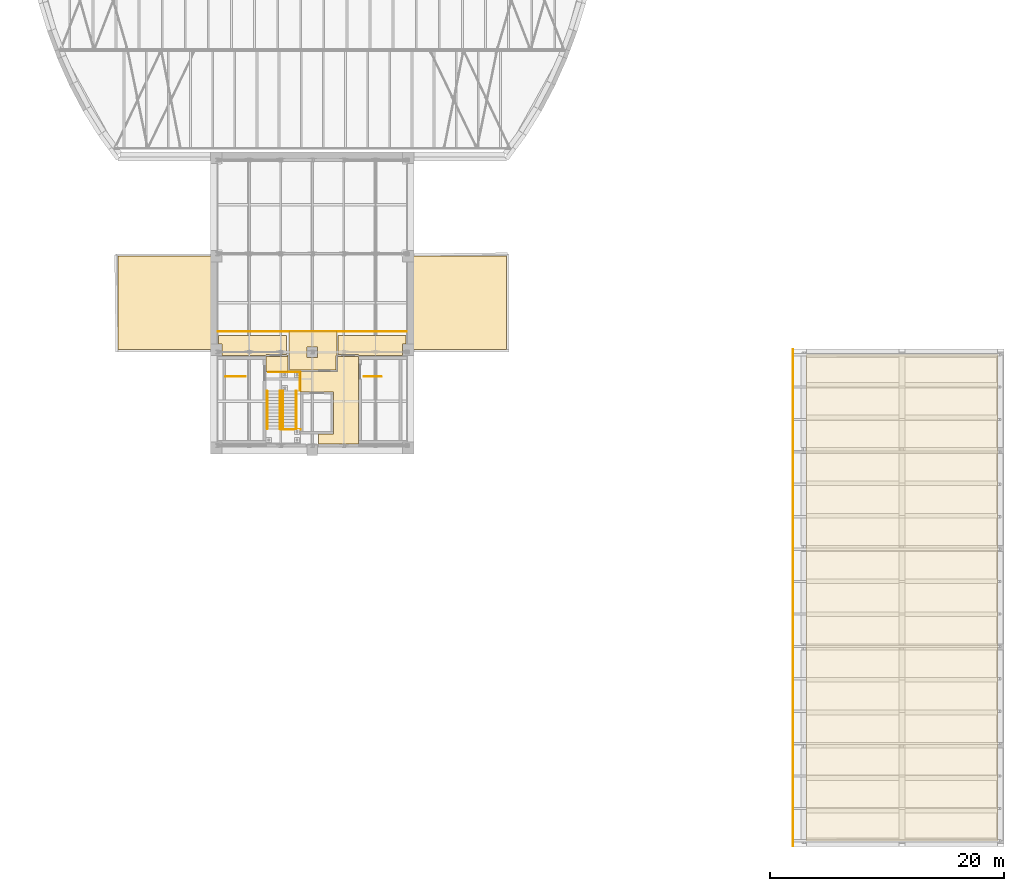
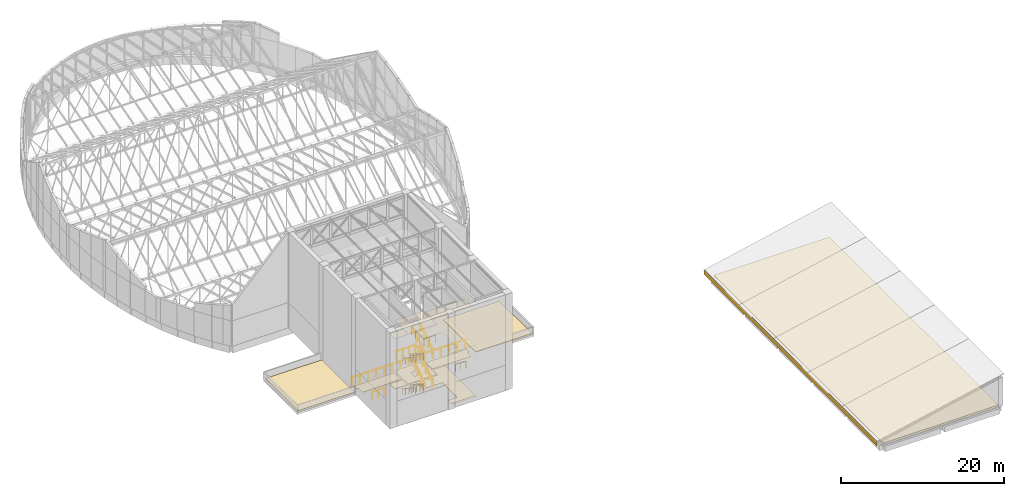
# One storey, part 68 of 68: 20 railings, 11 coverings.
"""IFC4 building model written with IfcOpenShell, lengths in metres."""

from ifc_helpers import new_model, si_unit, direction, frame, origin, origin_2d, place, context, subcontext, project, spatial, polyline, circle, outline, extrude, material, layer, layer_set, type_object, element, save


model = new_model("IFC4")

# Units and contexts
model_context = context("Model", 3, precision=1e-05, world=origin(), true_north=direction((0.0, 1.0)))
body_context = subcontext(model_context, "Body", "Model", "MODEL_VIEW")
ifc_project = project(units=[si_unit("LENGTHUNIT", "METRE"), si_unit("AREAUNIT", "SQUARE_METRE"), si_unit("VOLUMEUNIT", "CUBIC_METRE"), si_unit("PLANEANGLEUNIT", "RADIAN"), si_unit("MASSUNIT", "GRAM", prefix="KILO")], contexts=[model_context])

# Site, building, storey
site_placement = place(None, origin())
site = spatial("IfcSite", under=ifc_project, at=site_placement, CompositionType="ELEMENT")
building_placement = place(site_placement, origin())
building = spatial("IfcBuilding", under=site, at=building_placement, Name="Larchfold Concert Hall", CompositionType="ELEMENT")
storey_placement = place(building_placement, frame((0.0, 0.0, 28.800048828125)))
storey = spatial("IfcBuildingStorey", under=building, at=storey_placement, Name="L06", CompositionType="ELEMENT", Elevation=28.800048828125)

# Coverings
ifc_material_1 = material(Name="Mineral fibre ceiling tile")
ifc_layer_1 = layer(ifc_material_1, 0.02001953125)
ifc_layer_set_1 = layer_set([ifc_layer_1], Name="Mineral fibre ceiling tile")
covering_type_1 = type_object("IfcCoveringType", Name="Ceiling mineral fibre tile 20", PredefinedType="CEILING", material=ifc_layer_set_1)
covering_1_placement = place(storey_placement, frame((0.0, 0.0, 7.580078125)))
element("IfcCovering", 1, at=covering_1_placement, inside=storey, type_object=covering_type_1, Name="Ceiling Gallery Corridor 01", PredefinedType="CEILING", context=body_context, shape_type="SweptSolid", body=[
    extrude(outline(polyline([(38.64990234375, 40.929931640625), (41.60009765625, 40.929931640625), (41.60009765625, 39.199951171875), (44.39990234375, 39.199951171875), (44.39990234375, 35.60009765625), (43.14013671875, 35.60009765625), (43.14794921875, 34.751953125), (46.530029296875, 34.751953125), (46.530029296875, 34.501953125), (43.150146484375, 34.5), (46.56005859375, 34.5), (46.5595703125, 34.800048828125), (46.550048828125, 34.800048828125), (46.552490234375, 42.22412109375), (44.779541015625, 42.234130859375), (44.780029296875, 42.30859375), (44.762451171875, 42.308837890625), (44.762451171875, 40.9375), (40.66162109375, 40.9365234375), (40.661376953125, 40.999267578125), (40.661376953125, 40.9365234375), (40.536376953125, 40.9365234375), (40.53759765625, 42.3095703125), (40.419921875, 42.308837890625), (40.42041015625, 42.234130859375), (38.640380859375, 42.22509765625), (38.639892578125, 42.299560546875), (38.64013671875, 42.199951171875), (38.64990234375, 42.199951171875), (38.64990234375, 40.929931640625)])), origin(), (0.0, 0.0, 1.0), 0.02001953125),
])
covering_2_placement = place(storey_placement, frame((0.0, 0.0, 7.580078125)))
element("IfcCovering", 2, at=covering_2_placement, inside=storey, type_object=covering_type_1, Name="Ceiling Winch Store", PredefinedType="CEILING", context=body_context, shape_type="SweptSolid", body=[
    extrude(outline(polyline([(46.56005859375, 42.300048828125), (50.300048828125, 42.300048828125), (50.300048828125, 43.300048828125), (50.60009765625, 43.300048828125), (50.60009765625, 44.0), (44.800048828125, 44.0), (44.800048828125, 42.384033203125), (46.560546875, 42.3740234375), (46.56005859375, 42.300048828125)])), origin(), (0.0, 0.0, 1.0), 0.02001953125),
])
ifc_material_2 = material(Name="Plasterboard ceiling lining")
ifc_layer_2 = layer(ifc_material_2, 0.030029296875)
ifc_layer_set_2 = layer_set([ifc_layer_2], Name="Plasterboard ceiling lining")
covering_type_2 = type_object("IfcCoveringType", Name="Ceiling suspended plasterboard 30", PredefinedType="CEILING", material=ifc_layer_set_2)
covering_3_placement = place(storey_placement, frame((0.0, 0.0, 7.570068359375)))
element("IfcCovering", 3, at=covering_3_placement, inside=storey, type_object=covering_type_2, Name="Ceiling Rigging Machine Room", PredefinedType="CEILING", context=body_context, shape_type="SweptSolid", body=[
    extrude(outline(polyline([(40.661376953125, 41.0), (40.66162109375, 41.0615234375), (44.699951171875, 41.0625), (44.637451171875, 41.0625), (44.637451171875, 42.30908203125), (44.699951171875, 42.30908203125), (44.699951171875, 44.39990234375), (40.60009765625, 44.39990234375), (40.60009765625, 42.31005859375), (40.66259765625, 42.31005859375), (40.661376953125, 41.0)]), holes=[polyline([(42.150146484375, 42.150146484375), (42.150146484375, 43.050048828125), (43.050048828125, 43.050048828125), (43.050048828125, 42.150146484375), (42.150146484375, 42.150146484375)])]), origin(), (0.0, 0.0, 1.0), 0.030029296875),
])

# Railing
ifc_material_3 = material(Name="Stainless steel balustrade", Category="steel")
railing_type_1 = type_object("IfcRailingType", Name="Deck opening guard 1100", PredefinedType="GUARDRAIL", material=ifc_material_3)
railing_1_placement = place(storey_placement, frame((41.60009765625, 35.969970703125, 9.06005859375)))
element("IfcRailing", 4, at=railing_1_placement, inside=storey, type_object=railing_type_1, Name="Guard GR0011", PredefinedType="GUARDRAIL", context=body_context, shape_type="SweptSolid", body=[
    extrude(circle(Radius=0.02392578125, at=origin_2d()), frame((0.0, 0.0, 1.076171875), z_axis=(-1.0, 0.0, 0.0), x_axis=(0.0, -1.0, 0.0)), (0.0, 0.0, 1.0), 1.68505859375),
    extrude(circle(Radius=0.02392578125, at=origin_2d()), frame((-1.68505859375, 0.0, 1.076171875), z_axis=(0.0, 1.0, 0.0), x_axis=(-1.0, 0.0, 0.0)), (0.0, 0.0, 1.0), 3.030029296875),
    extrude(circle(Radius=0.02099609375, at=origin_2d()), origin(), (0.0, 0.0, 1.0), 1.052001953125),
    extrude(circle(Radius=0.02099609375, at=origin_2d()), frame((-0.842529296875, 0.0, 0.0)), (0.0, 0.0, 1.0), 1.052001953125),
    extrude(circle(Radius=0.02099609375, at=origin_2d()), frame((-1.68505859375, 0.0, 0.0)), (0.0, 0.0, 1.0), 1.052001953125),
    extrude(circle(Radius=0.02099609375, at=origin_2d()), frame((-1.68505859375, 1.010009765625, 0.0)), (0.0, 0.0, 1.0), 1.052001953125),
    extrude(circle(Radius=0.02099609375, at=origin_2d()), frame((-1.68505859375, 2.02001953125, 0.0)), (0.0, 0.0, 1.0), 1.052001953125),
    extrude(circle(Radius=0.02099609375, at=origin_2d()), frame((-1.68505859375, 3.030029296875, 0.0)), (0.0, 0.0, 1.0), 1.052001953125),
])

# Coverings
ifc_material_4 = material(Name="Sealed cement screed")
ifc_layer_3 = layer(ifc_material_4, 0.050048828125)
ifc_layer_set_3 = layer_set([ifc_layer_3], Name="Sealed cement screed")
covering_type_3 = type_object("IfcCoveringType", Name="Floor finish sealed screed 50", PredefinedType="FLOORING", material=ifc_layer_set_3)
covering_4_placement = place(storey_placement, origin())
element("IfcCovering", 5, at=covering_4_placement, inside=storey, type_object=covering_type_3, Name="Floor finish Gridiron Plant Room", PredefinedType="FLOORING", context=body_context, shape_type="SweptSolid", body=[
    extrude(outline(polyline([(34.89990234375, 42.300048828125), (38.639892578125, 42.300048828125), (38.639404296875, 42.375), (40.39990234375, 42.384033203125), (40.39990234375, 44.0), (34.60009765625, 44.0), (34.60009765625, 43.300048828125), (34.89990234375, 43.300048828125), (34.89990234375, 42.300048828125)])), origin(), (0.0, 0.0, 1.0), 0.050048828125),
])
ifc_material_5 = material(Name="Polished terrazzo")
ifc_layer_4 = layer(ifc_material_5, 0.0400390625)
ifc_layer_set_4 = layer_set([ifc_layer_4], Name="Polished terrazzo")
covering_type_4 = type_object("IfcCoveringType", Name="Floor finish terrazzo 40", PredefinedType="FLOORING", material=ifc_layer_set_4)
covering_5_placement = place(storey_placement, origin())
element("IfcCovering", 6, at=covering_5_placement, inside=storey, type_object=covering_type_4, Name="Floor finish Gallery Corridor 01", PredefinedType="FLOORING", context=body_context, shape_type="SweptSolid", body=[
    extrude(outline(polyline([(38.64990234375, 40.929931640625), (41.60009765625, 40.929931640625), (41.60009765625, 39.199951171875), (44.39990234375, 39.199951171875), (44.39990234375, 35.60009765625), (43.14013671875, 35.60009765625), (43.14794921875, 34.751953125), (46.530029296875, 34.751953125), (46.530029296875, 34.501953125), (43.150146484375, 34.5), (46.56005859375, 34.5), (46.5595703125, 34.800048828125), (46.550048828125, 34.800048828125), (46.552490234375, 42.22412109375), (44.779541015625, 42.234130859375), (44.780029296875, 42.30859375), (44.762451171875, 42.308837890625), (44.762451171875, 40.9375), (40.66162109375, 40.9365234375), (40.661376953125, 40.999267578125), (40.661376953125, 40.9365234375), (40.536376953125, 40.9365234375), (40.53759765625, 42.3095703125), (40.419921875, 42.308837890625), (40.42041015625, 42.234130859375), (38.640380859375, 42.22509765625), (38.639892578125, 42.299560546875), (38.64013671875, 42.199951171875), (38.64990234375, 42.199951171875), (38.64990234375, 40.929931640625)])), origin(), (0.0, 0.0, 1.0), 0.0400390625),
])
ifc_material_6 = material(Name="Linoleum sheet")
ifc_layer_5 = layer(ifc_material_6, 0.02001953125)
ifc_layer_set_5 = layer_set([ifc_layer_5], Name="Linoleum sheet")
covering_type_5 = type_object("IfcCoveringType", Name="Floor finish vinyl 20", PredefinedType="FLOORING", material=ifc_layer_set_5)
covering_6_placement = place(storey_placement, origin())
element("IfcCovering", 7, at=covering_6_placement, inside=storey, type_object=covering_type_5, Name="Floor finish Rigging Machine Room", PredefinedType="FLOORING", context=body_context, shape_type="SweptSolid", body=[
    extrude(outline(polyline([(40.661376953125, 41.0), (40.66162109375, 41.0615234375), (44.699951171875, 41.0625), (44.637451171875, 41.0625), (44.637451171875, 42.30908203125), (44.699951171875, 42.30908203125), (44.699951171875, 44.39990234375), (40.60009765625, 44.39990234375), (40.60009765625, 42.31005859375), (40.66259765625, 42.31005859375), (40.661376953125, 41.0)]), holes=[polyline([(42.150146484375, 42.150146484375), (42.150146484375, 43.050048828125), (43.050048828125, 43.050048828125), (43.050048828125, 42.150146484375), (42.150146484375, 42.150146484375)])]), origin(), (0.0, 0.0, 1.0), 0.02001953125),
])
covering_7_placement = place(storey_placement, origin())
element("IfcCovering", 8, at=covering_7_placement, inside=storey, type_object=covering_type_5, Name="Floor finish Winch Store", PredefinedType="FLOORING", context=body_context, shape_type="SweptSolid", body=[
    extrude(outline(polyline([(46.56005859375, 42.300048828125), (50.300048828125, 42.300048828125), (50.300048828125, 43.300048828125), (50.60009765625, 43.300048828125), (50.60009765625, 44.0), (44.800048828125, 44.0), (44.800048828125, 42.384033203125), (46.560546875, 42.3740234375), (46.56005859375, 42.300048828125)])), origin(), (0.0, 0.0, 1.0), 0.02001953125),
])

# Railing
ifc_material_7 = material(Name="Stainless steel balustrade", Category="steel")
railing_type_2 = type_object("IfcRailingType", Name="Fly tower guard 1200", PredefinedType="GUARDRAIL", material=ifc_material_7)
railing_2_placement = place(storey_placement, frame((34.5400390625, 44.33984375, 0.0)))
element("IfcRailing", 9, at=railing_2_placement, inside=storey, type_object=railing_type_2, Name="Guard GR0003", PredefinedType="GUARDRAIL", context=body_context, shape_type="SweptSolid", body=[
    extrude(circle(Radius=0.02392578125, at=origin_2d()), frame((0.0, 0.0, 1.17578125), z_axis=(1.0, 0.0, 0.0), x_axis=(0.0, 1.0, 0.0)), (0.0, 0.0, 1.0), 16.119873046875),
    extrude(circle(Radius=0.02099609375, at=origin_2d()), origin(), (0.0, 0.0, 1.0), 1.15185546875),
    extrude(circle(Radius=0.02099609375, at=origin_2d()), frame((1.1513671875, 0.0, 0.0)), (0.0, 0.0, 1.0), 1.15185546875),
    extrude(circle(Radius=0.02099609375, at=origin_2d()), frame((2.302734375, 0.0, 0.0)), (0.0, 0.0, 1.0), 1.15185546875),
    extrude(circle(Radius=0.02099609375, at=origin_2d()), frame((3.454345703125, 0.0, 0.0)), (0.0, 0.0, 1.0), 1.15185546875),
    extrude(circle(Radius=0.02099609375, at=origin_2d()), frame((4.605712890625, 0.0, 0.0)), (0.0, 0.0, 1.0), 1.15185546875),
    extrude(circle(Radius=0.02099609375, at=origin_2d()), frame((5.757080078125, 0.0, 0.0)), (0.0, 0.0, 1.0), 1.15185546875),
    extrude(circle(Radius=0.02099609375, at=origin_2d()), frame((6.908447265625, 0.0, 0.0)), (0.0, 0.0, 1.0), 1.15185546875),
    extrude(circle(Radius=0.02099609375, at=origin_2d()), frame((8.06005859375, 0.0, 0.0)), (0.0, 0.0, 1.0), 1.15185546875),
    extrude(circle(Radius=0.02099609375, at=origin_2d()), frame((9.21142578125, 0.0, 0.0)), (0.0, 0.0, 1.0), 1.15185546875),
    extrude(circle(Radius=0.02099609375, at=origin_2d()), frame((10.36279296875, 0.0, 0.0)), (0.0, 0.0, 1.0), 1.15185546875),
    extrude(circle(Radius=0.02099609375, at=origin_2d()), frame((11.51416015625, 0.0, 0.0)), (0.0, 0.0, 1.0), 1.15185546875),
    extrude(circle(Radius=0.02099609375, at=origin_2d()), frame((12.66552734375, 0.0, 0.0)), (0.0, 0.0, 1.0), 1.15185546875),
    extrude(circle(Radius=0.02099609375, at=origin_2d()), frame((13.817138671875, 0.0, 0.0)), (0.0, 0.0, 1.0), 1.15185546875),
    extrude(circle(Radius=0.02099609375, at=origin_2d()), frame((14.968505859375, 0.0, 0.0)), (0.0, 0.0, 1.0), 1.15185546875),
    extrude(circle(Radius=0.02099609375, at=origin_2d()), frame((16.119873046875, 0.0, 0.0)), (0.0, 0.0, 1.0), 1.15185546875),
])

# Coverings
ifc_material_8 = material(Name="Anodised graphite aluminium fascia", Category="aluminium")
ifc_layer_6 = layer(ifc_material_8, 0.030029296875)
ifc_layer_set_6 = layer_set([ifc_layer_6], Name="Anodised graphite aluminium fascia")
covering_type_6 = type_object("IfcCoveringType", Name="Roof edge fascia 30", PredefinedType="CLADDING", material=ifc_layer_set_6)
covering_8_placement = place(storey_placement, frame((83.669921875, 0.35009765625, 1.056396484375), z_axis=(-1.0, 0.0, 0.0), x_axis=(0.0, 1.0, 0.0)))
element("IfcCovering", 10, at=covering_8_placement, inside=storey, type_object=covering_type_6, Name="Roof edge fascia RF101", PredefinedType="CLADDING", context=body_context, shape_type="SweptSolid", body=[
    extrude(outline(polyline([(0.0, 0.0), (42.5, 0.0), (42.5, 0.700439453125), (0.0, 0.700439453125), (0.0, 0.0)])), origin(), (0.0, 0.0, -1.0), 0.030029296875),
])
ifc_material_9 = material(Name="Insulation and bitumen membrane")
ifc_layer_7 = layer(ifc_material_9, 0.10009765625)
ifc_layer_set_7 = layer_set([ifc_layer_7], Name="Insulation and bitumen membrane")
covering_type_7 = type_object("IfcCoveringType", Name="Roof membrane build-up 100", PredefinedType="ROOFING", material=ifc_layer_set_7)
covering_9_placement = place(storey_placement, origin())
element("IfcCovering", 11, at=covering_9_placement, inside=storey, type_object=covering_type_7, Name="Roof covering RC006", PredefinedType="ROOFING", context=body_context, shape_type="SweptSolid", body=[
    extrude(outline(polyline([(101.199951171875, 42.400146484375), (84.800048828125, 42.400146484375), (84.800048828125, 0.800048828125), (101.199951171875, 0.800048828125), (101.199951171875, 42.400146484375)])), origin(), (0.0, 0.0, 1.0), 0.10009765625),
])
covering_10_placement = place(storey_placement, origin())
element("IfcCovering", 12, at=covering_10_placement, inside=storey, type_object=covering_type_7, Name="Roof covering RC009", PredefinedType="ROOFING", context=body_context, shape_type="SweptSolid", body=[
    extrude(outline(polyline([(33.989990234375, 42.800048828125), (33.989990234375, 50.800048828125), (26.0, 50.800048828125), (26.0, 42.800048828125), (33.989990234375, 42.800048828125)])), origin(), (0.0, 0.0, 1.0), 0.10009765625),
])
covering_11_placement = place(storey_placement, origin())
element("IfcCovering", 13, at=covering_11_placement, inside=storey, type_object=covering_type_7, Name="Roof covering RC010", PredefinedType="ROOFING", context=body_context, shape_type="SweptSolid", body=[
    extrude(outline(polyline([(59.199951171875, 50.800048828125), (51.2099609375, 50.800048828125), (51.2099609375, 42.800048828125), (59.199951171875, 42.800048828125), (59.199951171875, 50.800048828125)])), origin(), (0.0, 0.0, 1.0), 0.10009765625),
])

# Railings
ifc_material_10 = material(Name="Stainless steel balustrade", Category="steel")
railing_type_3 = type_object("IfcRailingType", Name="Stair guard 1100", PredefinedType="GUARDRAIL", material=ifc_material_10)
railing_3_placement = place(storey_placement, frame((35.199951171875, 40.5, 0.0)))
element("IfcRailing", 14, at=railing_3_placement, inside=storey, type_object=railing_type_3, Name="Guard GR0001", PredefinedType="GUARDRAIL", context=body_context, shape_type="SweptSolid", body=[
    extrude(circle(Radius=0.02392578125, at=origin_2d()), frame((0.0, 0.0, 1.076171875), z_axis=(1.0, 0.0, 0.0), x_axis=(0.0, 1.0, 0.0)), (0.0, 0.0, 1.0), 1.699951171875),
    extrude(circle(Radius=0.02099609375, at=origin_2d()), origin(), (0.0, 0.0, 1.0), 1.052001953125),
    extrude(circle(Radius=0.02099609375, at=origin_2d()), frame((0.85009765625, 0.0, 0.0)), (0.0, 0.0, 1.0), 1.052001953125),
    extrude(circle(Radius=0.02099609375, at=origin_2d()), frame((1.699951171875, 0.0, 0.0)), (0.0, 0.0, 1.0), 1.052001953125),
])
railing_4_placement = place(storey_placement, frame((47.02490234375, 40.5, 0.0)))
element("IfcRailing", 15, at=railing_4_placement, inside=storey, type_object=railing_type_3, Name="Guard GR0002", PredefinedType="GUARDRAIL", context=body_context, shape_type="SweptSolid", body=[
    extrude(circle(Radius=0.02392578125, at=origin_2d()), frame((0.0, 0.0, 1.076171875), z_axis=(1.0, 0.0, 0.0), x_axis=(0.0, 1.0, 0.0)), (0.0, 0.0, 1.0), 1.47509765625),
    extrude(circle(Radius=0.02099609375, at=origin_2d()), origin(), (0.0, 0.0, 1.0), 1.052001953125),
    extrude(circle(Radius=0.02099609375, at=origin_2d()), frame((0.737548828125, 0.0, 0.0)), (0.0, 0.0, 1.0), 1.052001953125),
    extrude(circle(Radius=0.02099609375, at=origin_2d()), frame((1.47509765625, 0.0, 0.0)), (0.0, 0.0, 1.0), 1.052001953125),
])
ifc_material_11 = material(Name="Painted steel tube", Category="steel")
railing_type_4 = type_object("IfcRailingType", Name="Stair guard 1100 steel", PredefinedType="GUARDRAIL", material=ifc_material_11)
railing_5_placement = place(storey_placement, frame((39.8798828125, 39.27001953125, 0.177490234375)))
element("IfcRailing", 16, at=railing_5_placement, inside=storey, type_object=railing_type_4, Name="Guard GR0004", PredefinedType="GUARDRAIL", context=body_context, shape_type="SweptSolid", body=[
    extrude(circle(Radius=0.02392578125, at=origin_2d()), frame((0.0, 0.0, 1.076171875), z_axis=(0.0, -0.835385895819, 0.549663901913), x_axis=(1.0, 0.0, 0.0)), (0.0, 0.0, 1.0), 3.87841796875),
    extrude(circle(Radius=0.02099609375, at=origin_2d()), origin(), (0.0, 0.0, 1.0), 1.052001953125),
    extrude(circle(Radius=0.02099609375, at=origin_2d()), frame((0.0, -0.81005859375, 0.532958984375)), (0.0, 0.0, 1.0), 1.052001953125),
    extrude(circle(Radius=0.02099609375, at=origin_2d()), frame((0.0, -1.6201171875, 1.06591796875)), (0.0, 0.0, 1.0), 1.052001953125),
    extrude(circle(Radius=0.02099609375, at=origin_2d()), frame((0.0, -2.429931640625, 1.598876953125)), (0.0, 0.0, 1.0), 1.052001953125),
    extrude(circle(Radius=0.02099609375, at=origin_2d()), frame((0.0, -3.239990234375, 2.1318359375)), (0.0, 0.0, 1.0), 1.052001953125),
])
for number, where, name in (
    (17, (41.22998046875, 36.030029296875, 2.487060546875), "Guard GR0005"),
    (18, (40.070068359375, 36.030029296875, 2.487060546875), "Guard GR0006"),
):
    element("IfcRailing", number, at=place(storey_placement, frame(where)), inside=storey, type_object=railing_type_4, Name=name, PredefinedType="GUARDRAIL", context=body_context, shape_type="SweptSolid", body=[
        extrude(circle(Radius=0.02392578125, at=origin_2d()), frame((0.0, 0.0, 1.076171875), z_axis=(0.0, 0.835385895819, 0.549663901913), x_axis=(-1.0, 0.0, 0.0)), (0.0, 0.0, 1.0), 3.87841796875),
        extrude(circle(Radius=0.02099609375, at=origin_2d()), origin(), (0.0, 0.0, 1.0), 1.052001953125),
        extrude(circle(Radius=0.02099609375, at=origin_2d()), frame((0.0, 0.81005859375, 0.532958984375)), (0.0, 0.0, 1.0), 1.052001953125),
        extrude(circle(Radius=0.02099609375, at=origin_2d()), frame((0.0, 1.6201171875, 1.06591796875)), (0.0, 0.0, 1.0), 1.052001953125),
        extrude(circle(Radius=0.02099609375, at=origin_2d()), frame((0.0, 2.429931640625, 1.598876953125)), (0.0, 0.0, 1.0), 1.052001953125),
        extrude(circle(Radius=0.02099609375, at=origin_2d()), frame((0.0, 3.239990234375, 2.1318359375)), (0.0, 0.0, 1.0), 1.052001953125),
    ])
railing_6_placement = place(storey_placement, frame((39.8798828125, 39.27001953125, 4.79638671875)))
element("IfcRailing", 19, at=railing_6_placement, inside=storey, type_object=railing_type_4, Name="Guard GR0007", PredefinedType="GUARDRAIL", context=body_context, shape_type="SweptSolid", body=[
    extrude(circle(Radius=0.02392578125, at=origin_2d()), frame((0.0, 0.0, 1.076171875), z_axis=(0.0, -0.835385895819, 0.549663901913), x_axis=(1.0, 0.0, 0.0)), (0.0, 0.0, 1.0), 3.87841796875),
    extrude(circle(Radius=0.02099609375, at=origin_2d()), origin(), (0.0, 0.0, 1.0), 1.052001953125),
    extrude(circle(Radius=0.02099609375, at=origin_2d()), frame((0.0, -0.81005859375, 0.532958984375)), (0.0, 0.0, 1.0), 1.052001953125),
    extrude(circle(Radius=0.02099609375, at=origin_2d()), frame((0.0, -1.6201171875, 1.06591796875)), (0.0, 0.0, 1.0), 1.052001953125),
    extrude(circle(Radius=0.02099609375, at=origin_2d()), frame((0.0, -2.429931640625, 1.598876953125)), (0.0, 0.0, 1.0), 1.052001953125),
    extrude(circle(Radius=0.02099609375, at=origin_2d()), frame((0.0, -3.239990234375, 2.1318359375)), (0.0, 0.0, 1.0), 1.052001953125),
])
for number, where, name in (
    (20, (41.22998046875, 36.030029296875, 7.105712890625), "Guard GR0008"),
    (21, (40.070068359375, 36.030029296875, 7.105712890625), "Guard GR0009"),
):
    element("IfcRailing", number, at=place(storey_placement, frame(where)), inside=storey, type_object=railing_type_4, Name=name, PredefinedType="GUARDRAIL", context=body_context, shape_type="SweptSolid", body=[
        extrude(circle(Radius=0.02392578125, at=origin_2d()), frame((0.0, 0.0, 1.076171875), z_axis=(0.0, 0.835363145036, 0.549698477272), x_axis=(-1.0, 0.0, 0.0)), (0.0, 0.0, 1.0), 3.555419921875),
        extrude(circle(Radius=0.02099609375, at=origin_2d()), origin(), (0.0, 0.0, 1.0), 1.052001953125),
        extrude(circle(Radius=0.02099609375, at=origin_2d()), frame((0.0, 0.989990234375, 0.6513671875)), (0.0, 0.0, 1.0), 1.052001953125),
        extrude(circle(Radius=0.02099609375, at=origin_2d()), frame((0.0, 1.97998046875, 1.302978515625)), (0.0, 0.0, 1.0), 1.052001953125),
        extrude(circle(Radius=0.02099609375, at=origin_2d()), frame((0.0, 2.969970703125, 1.954345703125)), (0.0, 0.0, 1.0), 1.052001953125),
    ])
railing_7_placement = place(storey_placement, frame((38.875, 40.8798828125, 4.618896484375)))
element("IfcRailing", 22, at=railing_7_placement, inside=storey, type_object=railing_type_4, Name="Guard GR0010", PredefinedType="GUARDRAIL", context=body_context, shape_type="SweptSolid", body=[
    extrude(circle(Radius=0.02392578125, at=origin_2d()), frame((0.0, 0.0, 1.076171875), z_axis=(1.0, 0.0, 0.0), x_axis=(0.0, 1.0, 0.0)), (0.0, 0.0, 1.0), 2.695068359375),
    extrude(circle(Radius=0.02099609375, at=origin_2d()), origin(), (0.0, 0.0, 1.0), 1.052001953125),
    extrude(circle(Radius=0.02099609375, at=origin_2d()), frame((0.8984375, 0.0, 0.0)), (0.0, 0.0, 1.0), 1.052001953125),
    extrude(circle(Radius=0.02099609375, at=origin_2d()), frame((1.796630859375, 0.0, 0.0)), (0.0, 0.0, 1.0), 1.052001953125),
    extrude(circle(Radius=0.02099609375, at=origin_2d()), frame((2.695068359375, 0.0, 0.0)), (0.0, 0.0, 1.0), 1.052001953125),
])
railing_8_placement = place(storey_placement, frame((41.570068359375, 40.8798828125, 4.618896484375)))
element("IfcRailing", 23, at=railing_8_placement, inside=storey, type_object=railing_type_4, Name="Guard GR0010a", PredefinedType="GUARDRAIL", context=body_context, shape_type="SweptSolid", body=[
    extrude(circle(Radius=0.02392578125, at=origin_2d()), frame((0.0, 0.0, 1.076171875), z_axis=(0.0, -1.0, 0.0), x_axis=(1.0, 0.0, 0.0)), (0.0, 0.0, 1.0), 1.579833984375),
    extrude(circle(Radius=0.02099609375, at=origin_2d()), origin(), (0.0, 0.0, 1.0), 1.052001953125),
    extrude(circle(Radius=0.02099609375, at=origin_2d()), frame((0.0, -0.7900390625, 0.0)), (0.0, 0.0, 1.0), 1.052001953125),
    extrude(circle(Radius=0.02099609375, at=origin_2d()), frame((0.0, -1.579833984375, 0.0)), (0.0, 0.0, 1.0), 1.052001953125),
])
ifc_material_12 = material(Name="Painted steel tube", Category="steel")
railing_type_5 = type_object("IfcRailingType", Name="Stair handrail 900 steel", PredefinedType="HANDRAIL", material=ifc_material_12)
for number, where, name in (
    (24, (38.75, 39.27001953125, 0.177490234375), "Handrail HR0001"),
    (25, (39.85009765625, 39.27001953125, 0.177490234375), "Handrail HR0002"),
):
    element("IfcRailing", number, at=place(storey_placement, frame(where)), inside=storey, type_object=railing_type_5, Name=name, PredefinedType="HANDRAIL", context=body_context, shape_type="SweptSolid", body=[
        extrude(circle(Radius=0.02392578125, at=origin_2d()), frame((0.0, 0.0, 0.8759765625), z_axis=(0.0, -0.835385895819, 0.549663901913), x_axis=(1.0, 0.0, 0.0)), (0.0, 0.0, 1.0), 3.87841796875),
        extrude(circle(Radius=0.02099609375, at=origin_2d()), origin(), (0.0, 0.0, 1.0), 0.851806640625),
        extrude(circle(Radius=0.02099609375, at=origin_2d()), frame((0.0, -0.81005859375, 0.532958984375)), (0.0, 0.0, 1.0), 0.851806640625),
        extrude(circle(Radius=0.02099609375, at=origin_2d()), frame((0.0, -1.6201171875, 1.06591796875)), (0.0, 0.0, 1.0), 0.851806640625),
        extrude(circle(Radius=0.02099609375, at=origin_2d()), frame((0.0, -2.429931640625, 1.598876953125)), (0.0, 0.0, 1.0), 0.851806640625),
        extrude(circle(Radius=0.02099609375, at=origin_2d()), frame((0.0, -3.239990234375, 2.1318359375)), (0.0, 0.0, 1.0), 0.851806640625),
    ])
for number, where, name in (
    (26, (40.10009765625, 36.030029296875, 2.487060546875), "Handrail HR0003"),
    (27, (41.199951171875, 36.030029296875, 2.487060546875), "Handrail HR0004"),
):
    element("IfcRailing", number, at=place(storey_placement, frame(where)), inside=storey, type_object=railing_type_5, Name=name, PredefinedType="HANDRAIL", context=body_context, shape_type="SweptSolid", body=[
        extrude(circle(Radius=0.02392578125, at=origin_2d()), frame((0.0, 0.0, 0.8759765625), z_axis=(0.0, 0.835385895819, 0.549663901913), x_axis=(-1.0, 0.0, 0.0)), (0.0, 0.0, 1.0), 3.87841796875),
        extrude(circle(Radius=0.02099609375, at=origin_2d()), origin(), (0.0, 0.0, 1.0), 0.851806640625),
        extrude(circle(Radius=0.02099609375, at=origin_2d()), frame((0.0, 0.81005859375, 0.532958984375)), (0.0, 0.0, 1.0), 0.851806640625),
        extrude(circle(Radius=0.02099609375, at=origin_2d()), frame((0.0, 1.6201171875, 1.06591796875)), (0.0, 0.0, 1.0), 0.851806640625),
        extrude(circle(Radius=0.02099609375, at=origin_2d()), frame((0.0, 2.429931640625, 1.598876953125)), (0.0, 0.0, 1.0), 0.851806640625),
        extrude(circle(Radius=0.02099609375, at=origin_2d()), frame((0.0, 3.239990234375, 2.1318359375)), (0.0, 0.0, 1.0), 0.851806640625),
    ])
for number, where, name in (
    (28, (38.75, 39.27001953125, 4.79638671875), "Handrail HR0005"),
    (29, (39.85009765625, 39.27001953125, 4.79638671875), "Handrail HR0006"),
):
    element("IfcRailing", number, at=place(storey_placement, frame(where)), inside=storey, type_object=railing_type_5, Name=name, PredefinedType="HANDRAIL", context=body_context, shape_type="SweptSolid", body=[
        extrude(circle(Radius=0.02392578125, at=origin_2d()), frame((0.0, 0.0, 0.8759765625), z_axis=(0.0, -0.835385895819, 0.549663901913), x_axis=(1.0, 0.0, 0.0)), (0.0, 0.0, 1.0), 3.87841796875),
        extrude(circle(Radius=0.02099609375, at=origin_2d()), origin(), (0.0, 0.0, 1.0), 0.851806640625),
        extrude(circle(Radius=0.02099609375, at=origin_2d()), frame((0.0, -0.81005859375, 0.532958984375)), (0.0, 0.0, 1.0), 0.851806640625),
        extrude(circle(Radius=0.02099609375, at=origin_2d()), frame((0.0, -1.6201171875, 1.06591796875)), (0.0, 0.0, 1.0), 0.851806640625),
        extrude(circle(Radius=0.02099609375, at=origin_2d()), frame((0.0, -2.429931640625, 1.598876953125)), (0.0, 0.0, 1.0), 0.851806640625),
        extrude(circle(Radius=0.02099609375, at=origin_2d()), frame((0.0, -3.239990234375, 2.1318359375)), (0.0, 0.0, 1.0), 0.851806640625),
    ])
for number, where, name in (
    (30, (40.10009765625, 36.030029296875, 7.105712890625), "Handrail HR0007"),
    (31, (41.199951171875, 36.030029296875, 7.105712890625), "Handrail HR0008"),
):
    element("IfcRailing", number, at=place(storey_placement, frame(where)), inside=storey, type_object=railing_type_5, Name=name, PredefinedType="HANDRAIL", context=body_context, shape_type="SweptSolid", body=[
        extrude(circle(Radius=0.02392578125, at=origin_2d()), frame((0.0, 0.0, 0.8759765625), z_axis=(0.0, 0.835363145036, 0.549698477272), x_axis=(-1.0, 0.0, 0.0)), (0.0, 0.0, 1.0), 3.555419921875),
        extrude(circle(Radius=0.02099609375, at=origin_2d()), origin(), (0.0, 0.0, 1.0), 0.851806640625),
        extrude(circle(Radius=0.02099609375, at=origin_2d()), frame((0.0, 0.989990234375, 0.6513671875)), (0.0, 0.0, 1.0), 0.851806640625),
        extrude(circle(Radius=0.02099609375, at=origin_2d()), frame((0.0, 1.97998046875, 1.302978515625)), (0.0, 0.0, 1.0), 0.851806640625),
        extrude(circle(Radius=0.02099609375, at=origin_2d()), frame((0.0, 2.969970703125, 1.954345703125)), (0.0, 0.0, 1.0), 0.851806640625),
    ])

save(model, "model.ifc")
